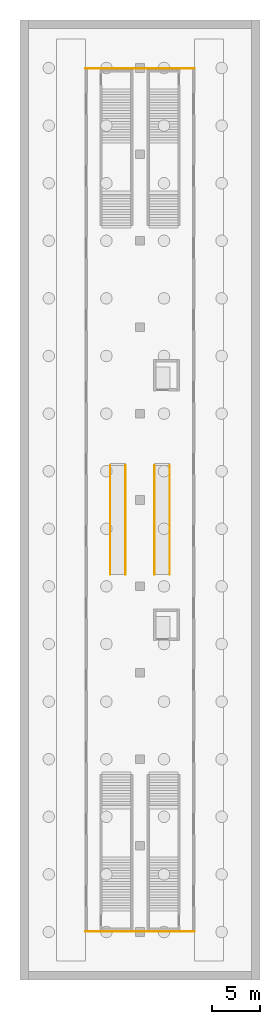
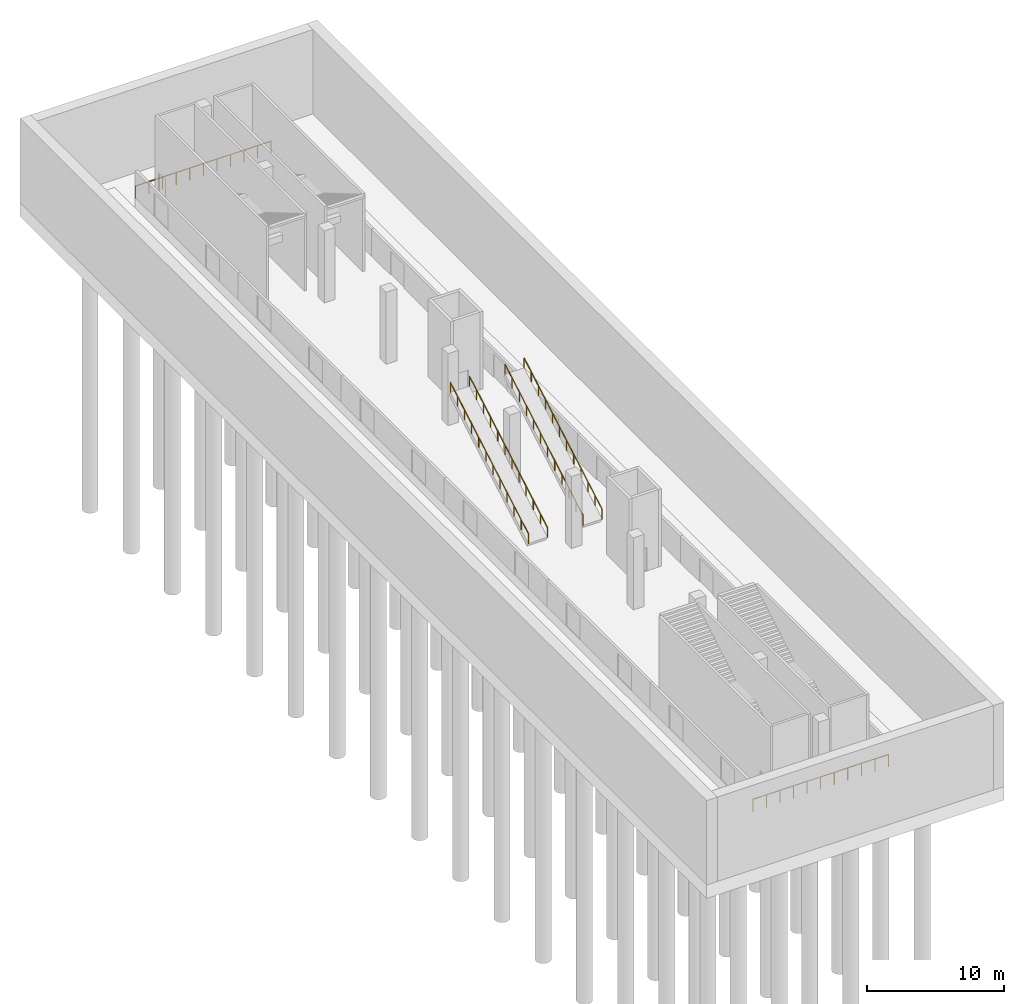
# One storey, part 15 of 16: 6 railings.
"""IFC4 building model written with IfcOpenShell, lengths in metres."""

from ifc_helpers import new_model, si_unit, direction, frame, origin, origin_2d, place, context, subcontext, project, spatial, circle, extrude, material, type_object, element, save


model = new_model("IFC4")

# Units and contexts
model_context = context("Model", 3, precision=1e-05, world=origin(), true_north=direction((0.0, 1.0)))
body_context = subcontext(model_context, "Body", "Model", "MODEL_VIEW")
ifc_project = project(units=[si_unit("LENGTHUNIT", "METRE"), si_unit("AREAUNIT", "SQUARE_METRE"), si_unit("VOLUMEUNIT", "CUBIC_METRE"), si_unit("PLANEANGLEUNIT", "RADIAN"), si_unit("MASSUNIT", "GRAM", prefix="KILO")], contexts=[model_context])

# Site, building, storey
site_placement = place(None, origin())
site = spatial("IfcSite", under=ifc_project, at=site_placement, CompositionType="ELEMENT")
building_placement = place(site_placement, origin())
building = spatial("IfcBuilding", under=site, at=building_placement, Name="Ogive Plaza Stadium", CompositionType="ELEMENT")
storey_placement = place(building_placement, frame((0.0, 0.0, -11.39990234375)))
storey = spatial("IfcBuildingStorey", under=building, at=storey_placement, Name="B2", CompositionType="ELEMENT", Elevation=-11.39990234375)

# Railings
ifc_material_1 = material(Name="Stainless steel", Category="steel")
railing_type_1 = type_object("IfcRailingType", Name="Escalator handrail 900", PredefinedType="HANDRAIL", material=ifc_material_1)
railing_1_placement = place(storey_placement, frame((104.39990234375, -7.751220703125, 0.34619140625)))
element("IfcRailing", 1, at=railing_1_placement, inside=storey, type_object=railing_type_1, Name="Escalator ES1 handrail 1", PredefinedType="HANDRAIL", context=body_context, shape_type="SweptSolid", body=[
    extrude(circle(Radius=0.02392578125, at=origin_2d()), frame((0.0, 0.0, 0.8759765625), z_axis=(0.0, 0.866024603424, 0.500001386263), x_axis=(-1.0, 0.0, 0.0)), (0.0, 0.0, 1.0), 13.107421875),
    extrude(circle(Radius=0.02099609375, at=origin_2d()), origin(), (0.0, 0.0, 1.0), 0.851806640625),
    extrude(circle(Radius=0.02099609375, at=origin_2d()), frame((0.0, 1.031982421875, 0.595703125)), (0.0, 0.0, 1.0), 0.851806640625),
    extrude(circle(Radius=0.02099609375, at=origin_2d()), frame((0.0, 2.06396484375, 1.191650390625)), (0.0, 0.0, 1.0), 0.851806640625),
    extrude(circle(Radius=0.02099609375, at=origin_2d()), frame((0.0, 3.095703125, 1.787353515625)), (0.0, 0.0, 1.0), 0.851806640625),
    extrude(circle(Radius=0.02099609375, at=origin_2d()), frame((0.0, 4.127685546875, 2.383056640625)), (0.0, 0.0, 1.0), 0.851806640625),
    extrude(circle(Radius=0.02099609375, at=origin_2d()), frame((0.0, 5.15966796875, 2.97900390625)), (0.0, 0.0, 1.0), 0.851806640625),
    extrude(circle(Radius=0.02099609375, at=origin_2d()), frame((0.0, 6.191650390625, 3.57470703125)), (0.0, 0.0, 1.0), 0.851806640625),
    extrude(circle(Radius=0.02099609375, at=origin_2d()), frame((0.0, 7.2236328125, 4.170654296875)), (0.0, 0.0, 1.0), 0.851806640625),
    extrude(circle(Radius=0.02099609375, at=origin_2d()), frame((0.0, 8.255615234375, 4.766357421875)), (0.0, 0.0, 1.0), 0.851806640625),
    extrude(circle(Radius=0.02099609375, at=origin_2d()), frame((0.0, 9.287353515625, 5.362060546875)), (0.0, 0.0, 1.0), 0.851806640625),
    extrude(circle(Radius=0.02099609375, at=origin_2d()), frame((0.0, 10.3193359375, 5.9580078125)), (0.0, 0.0, 1.0), 0.851806640625),
    extrude(circle(Radius=0.02099609375, at=origin_2d()), frame((0.0, 11.351318359375, 6.5537109375)), (0.0, 0.0, 1.0), 0.851806640625),
])
railing_2_placement = place(storey_placement, frame((106.0, -7.751220703125, 0.34619140625)))
element("IfcRailing", 2, at=railing_2_placement, inside=storey, type_object=railing_type_1, Name="Escalator ES1 handrail 2", PredefinedType="HANDRAIL", context=body_context, shape_type="SweptSolid", body=[
    extrude(circle(Radius=0.02392578125, at=origin_2d()), frame((0.0, 0.0, 0.8759765625), z_axis=(0.0, 0.866024603424, 0.500001386263), x_axis=(-1.0, 0.0, 0.0)), (0.0, 0.0, 1.0), 13.107421875),
    extrude(circle(Radius=0.02099609375, at=origin_2d()), origin(), (0.0, 0.0, 1.0), 0.851806640625),
    extrude(circle(Radius=0.02099609375, at=origin_2d()), frame((0.0, 1.031982421875, 0.595703125)), (0.0, 0.0, 1.0), 0.851806640625),
    extrude(circle(Radius=0.02099609375, at=origin_2d()), frame((0.0, 2.06396484375, 1.191650390625)), (0.0, 0.0, 1.0), 0.851806640625),
    extrude(circle(Radius=0.02099609375, at=origin_2d()), frame((0.0, 3.095703125, 1.787353515625)), (0.0, 0.0, 1.0), 0.851806640625),
    extrude(circle(Radius=0.02099609375, at=origin_2d()), frame((0.0, 4.127685546875, 2.383056640625)), (0.0, 0.0, 1.0), 0.851806640625),
    extrude(circle(Radius=0.02099609375, at=origin_2d()), frame((0.0, 5.15966796875, 2.97900390625)), (0.0, 0.0, 1.0), 0.851806640625),
    extrude(circle(Radius=0.02099609375, at=origin_2d()), frame((0.0, 6.191650390625, 3.57470703125)), (0.0, 0.0, 1.0), 0.851806640625),
    extrude(circle(Radius=0.02099609375, at=origin_2d()), frame((0.0, 7.2236328125, 4.170654296875)), (0.0, 0.0, 1.0), 0.851806640625),
    extrude(circle(Radius=0.02099609375, at=origin_2d()), frame((0.0, 8.255615234375, 4.766357421875)), (0.0, 0.0, 1.0), 0.851806640625),
    extrude(circle(Radius=0.02099609375, at=origin_2d()), frame((0.0, 9.287353515625, 5.362060546875)), (0.0, 0.0, 1.0), 0.851806640625),
    extrude(circle(Radius=0.02099609375, at=origin_2d()), frame((0.0, 10.3193359375, 5.9580078125)), (0.0, 0.0, 1.0), 0.851806640625),
    extrude(circle(Radius=0.02099609375, at=origin_2d()), frame((0.0, 11.351318359375, 6.5537109375)), (0.0, 0.0, 1.0), 0.851806640625),
])
railing_3_placement = place(storey_placement, frame((109.0, -7.751220703125, 0.34619140625)))
element("IfcRailing", 3, at=railing_3_placement, inside=storey, type_object=railing_type_1, Name="Escalator ES2 handrail 1", PredefinedType="HANDRAIL", context=body_context, shape_type="SweptSolid", body=[
    extrude(circle(Radius=0.02392578125, at=origin_2d()), frame((0.0, 0.0, 0.8759765625), z_axis=(0.0, 0.866024603424, 0.500001386263), x_axis=(-1.0, 0.0, 0.0)), (0.0, 0.0, 1.0), 13.107421875),
    extrude(circle(Radius=0.02099609375, at=origin_2d()), origin(), (0.0, 0.0, 1.0), 0.851806640625),
    extrude(circle(Radius=0.02099609375, at=origin_2d()), frame((0.0, 1.031982421875, 0.595703125)), (0.0, 0.0, 1.0), 0.851806640625),
    extrude(circle(Radius=0.02099609375, at=origin_2d()), frame((0.0, 2.06396484375, 1.191650390625)), (0.0, 0.0, 1.0), 0.851806640625),
    extrude(circle(Radius=0.02099609375, at=origin_2d()), frame((0.0, 3.095703125, 1.787353515625)), (0.0, 0.0, 1.0), 0.851806640625),
    extrude(circle(Radius=0.02099609375, at=origin_2d()), frame((0.0, 4.127685546875, 2.383056640625)), (0.0, 0.0, 1.0), 0.851806640625),
    extrude(circle(Radius=0.02099609375, at=origin_2d()), frame((0.0, 5.15966796875, 2.97900390625)), (0.0, 0.0, 1.0), 0.851806640625),
    extrude(circle(Radius=0.02099609375, at=origin_2d()), frame((0.0, 6.191650390625, 3.57470703125)), (0.0, 0.0, 1.0), 0.851806640625),
    extrude(circle(Radius=0.02099609375, at=origin_2d()), frame((0.0, 7.2236328125, 4.170654296875)), (0.0, 0.0, 1.0), 0.851806640625),
    extrude(circle(Radius=0.02099609375, at=origin_2d()), frame((0.0, 8.255615234375, 4.766357421875)), (0.0, 0.0, 1.0), 0.851806640625),
    extrude(circle(Radius=0.02099609375, at=origin_2d()), frame((0.0, 9.287353515625, 5.362060546875)), (0.0, 0.0, 1.0), 0.851806640625),
    extrude(circle(Radius=0.02099609375, at=origin_2d()), frame((0.0, 10.3193359375, 5.9580078125)), (0.0, 0.0, 1.0), 0.851806640625),
    extrude(circle(Radius=0.02099609375, at=origin_2d()), frame((0.0, 11.351318359375, 6.5537109375)), (0.0, 0.0, 1.0), 0.851806640625),
])
railing_4_placement = place(storey_placement, frame((110.60009765625, -7.751220703125, 0.34619140625)))
element("IfcRailing", 4, at=railing_4_placement, inside=storey, type_object=railing_type_1, Name="Escalator ES2 handrail 2", PredefinedType="HANDRAIL", context=body_context, shape_type="SweptSolid", body=[
    extrude(circle(Radius=0.02392578125, at=origin_2d()), frame((0.0, 0.0, 0.8759765625), z_axis=(0.0, 0.866024603424, 0.500001386263), x_axis=(-1.0, 0.0, 0.0)), (0.0, 0.0, 1.0), 13.107421875),
    extrude(circle(Radius=0.02099609375, at=origin_2d()), origin(), (0.0, 0.0, 1.0), 0.851806640625),
    extrude(circle(Radius=0.02099609375, at=origin_2d()), frame((0.0, 1.031982421875, 0.595703125)), (0.0, 0.0, 1.0), 0.851806640625),
    extrude(circle(Radius=0.02099609375, at=origin_2d()), frame((0.0, 2.06396484375, 1.191650390625)), (0.0, 0.0, 1.0), 0.851806640625),
    extrude(circle(Radius=0.02099609375, at=origin_2d()), frame((0.0, 3.095703125, 1.787353515625)), (0.0, 0.0, 1.0), 0.851806640625),
    extrude(circle(Radius=0.02099609375, at=origin_2d()), frame((0.0, 4.127685546875, 2.383056640625)), (0.0, 0.0, 1.0), 0.851806640625),
    extrude(circle(Radius=0.02099609375, at=origin_2d()), frame((0.0, 5.15966796875, 2.97900390625)), (0.0, 0.0, 1.0), 0.851806640625),
    extrude(circle(Radius=0.02099609375, at=origin_2d()), frame((0.0, 6.191650390625, 3.57470703125)), (0.0, 0.0, 1.0), 0.851806640625),
    extrude(circle(Radius=0.02099609375, at=origin_2d()), frame((0.0, 7.2236328125, 4.170654296875)), (0.0, 0.0, 1.0), 0.851806640625),
    extrude(circle(Radius=0.02099609375, at=origin_2d()), frame((0.0, 8.255615234375, 4.766357421875)), (0.0, 0.0, 1.0), 0.851806640625),
    extrude(circle(Radius=0.02099609375, at=origin_2d()), frame((0.0, 9.287353515625, 5.362060546875)), (0.0, 0.0, 1.0), 0.851806640625),
    extrude(circle(Radius=0.02099609375, at=origin_2d()), frame((0.0, 10.3193359375, 5.9580078125)), (0.0, 0.0, 1.0), 0.851806640625),
    extrude(circle(Radius=0.02099609375, at=origin_2d()), frame((0.0, 11.351318359375, 6.5537109375)), (0.0, 0.0, 1.0), 0.851806640625),
])
ifc_material_2 = material(Name="Stainless steel", Category="steel")
railing_type_2 = type_object("IfcRailingType", Name="Station guard 1100", PredefinedType="GUARDRAIL", material=ifc_material_2)
for number, where, name in (
    (5, (101.800048828125, -44.949951171875, 0.0), "Station guard 1100 GR-PL1"),
    (6, (101.800048828125, 44.949951171875, 0.0), "Station guard 1100 GR-PL2"),
):
    element("IfcRailing", number, at=place(storey_placement, frame(where)), inside=storey, type_object=railing_type_2, Name=name, PredefinedType="GUARDRAIL", context=body_context, shape_type="SweptSolid", body=[
        extrude(circle(Radius=0.02392578125, at=origin_2d()), frame((0.0, 0.0, 1.076171875), z_axis=(1.0, 0.0, 0.0), x_axis=(0.0, 1.0, 0.0)), (0.0, 0.0, 1.0), 11.39990234375),
        extrude(circle(Radius=0.02099609375, at=origin_2d()), origin(), (0.0, 0.0, 1.0), 1.052001953125),
        extrude(circle(Radius=0.02099609375, at=origin_2d()), frame((1.139892578125, 0.0, 0.0)), (0.0, 0.0, 1.0), 1.052001953125),
        extrude(circle(Radius=0.02099609375, at=origin_2d()), frame((2.280029296875, 0.0, 0.0)), (0.0, 0.0, 1.0), 1.052001953125),
        extrude(circle(Radius=0.02099609375, at=origin_2d()), frame((3.419921875, 0.0, 0.0)), (0.0, 0.0, 1.0), 1.052001953125),
        extrude(circle(Radius=0.02099609375, at=origin_2d()), frame((4.56005859375, 0.0, 0.0)), (0.0, 0.0, 1.0), 1.052001953125),
        extrude(circle(Radius=0.02099609375, at=origin_2d()), frame((5.699951171875, 0.0, 0.0)), (0.0, 0.0, 1.0), 1.052001953125),
        extrude(circle(Radius=0.02099609375, at=origin_2d()), frame((6.83984375, 0.0, 0.0)), (0.0, 0.0, 1.0), 1.052001953125),
        extrude(circle(Radius=0.02099609375, at=origin_2d()), frame((7.97998046875, 0.0, 0.0)), (0.0, 0.0, 1.0), 1.052001953125),
        extrude(circle(Radius=0.02099609375, at=origin_2d()), frame((9.119873046875, 0.0, 0.0)), (0.0, 0.0, 1.0), 1.052001953125),
        extrude(circle(Radius=0.02099609375, at=origin_2d()), frame((10.260009765625, 0.0, 0.0)), (0.0, 0.0, 1.0), 1.052001953125),
        extrude(circle(Radius=0.02099609375, at=origin_2d()), frame((11.39990234375, 0.0, 0.0)), (0.0, 0.0, 1.0), 1.052001953125),
    ])

save(model, "model.ifc")
